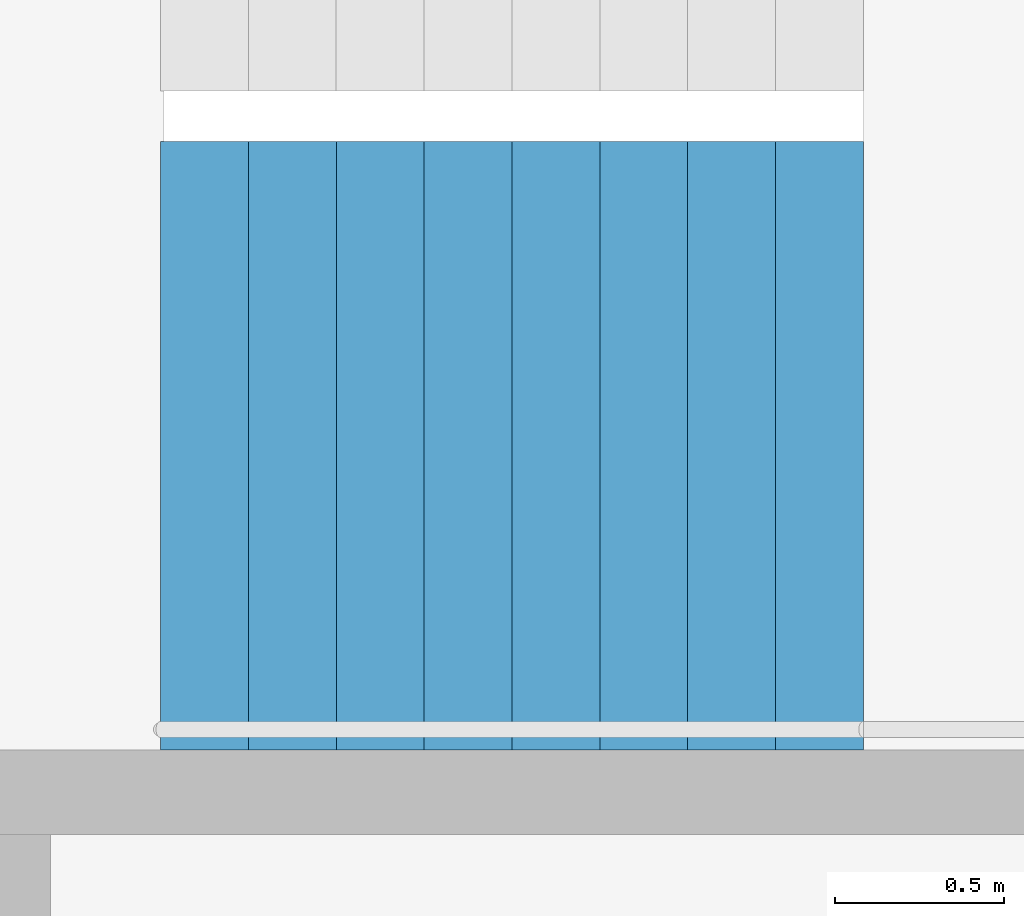
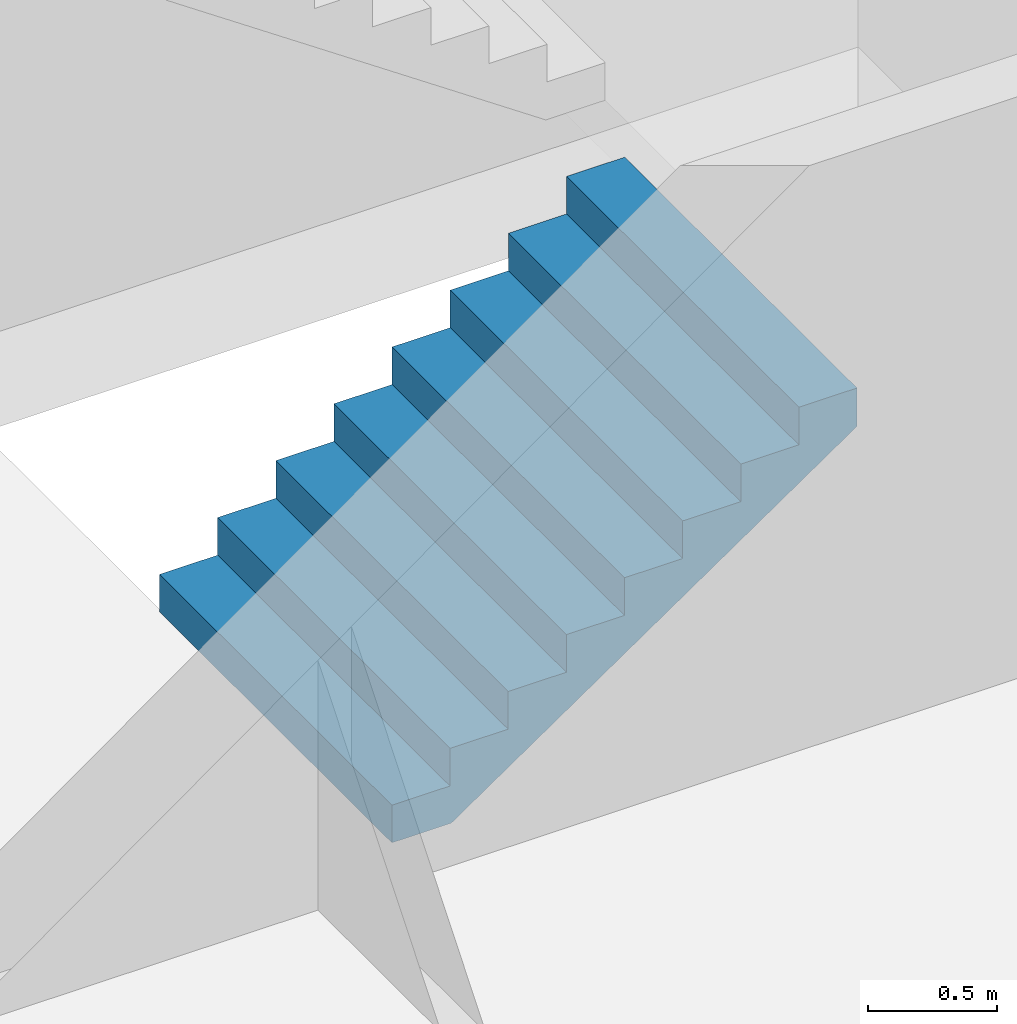
# One storey, part 20 of 26: 1 stair flight, 1 element without a shape of its own.
"""IFC4 building model written with IfcOpenShell, lengths in metres."""

import ifcopenshell
import ifcopenshell.guid

model = None  # the IFC model being written
_history = None  # IfcOwnerHistory: only IFC2X3 demands one
_inside = {}  # id of a spatial element -> (the spatial element, [elements in it])
_under = {}  # id of a project, library or spatial element -> (it, [spatial elements below it])
_declared = {}  # id of a project -> (the project, [libraries it declares])
_typed = {}  # id of a type object -> (the type object, [elements of that type])
_made_of = {}  # id of a material, layer set ... -> (it, [elements and type objects made of it])


def new_model(schema):
    """Start an empty IFC model of exactly this schema.

    Asked for "IFC4X3", IfcOpenShell would pick the latest addendum, in which some entities
    have other attributes; the version numbers below select the first issue.
    IFC2X3 requires an IfcOwnerHistory on every rooted entity: one is made here for all.
    """
    global model, _history
    if schema == "IFC4X3":
        model = ifcopenshell.file(schema_version=(4, 3, 0, 0))
    else:
        model = ifcopenshell.file(schema=schema)
    _inside.clear()
    _under.clear()
    _declared.clear()
    _typed.clear()
    _made_of.clear()
    _history = None
    if model.schema == "IFC2X3":
        org = make("IfcOrganization", Name="unknown")
        user = make(
            "IfcPersonAndOrganization",
            ThePerson=make("IfcPerson", FamilyName="unknown"),
            TheOrganization=org,
        )
        app = make(
            "IfcApplication",
            ApplicationDeveloper=org,
            Version="unknown",
            ApplicationFullName="unknown",
            ApplicationIdentifier="unknown",
        )
        _history = make(
            "IfcOwnerHistory",
            OwningUser=user,
            OwningApplication=app,
            ChangeAction="ADDED",
            CreationDate=0,
        )
    return model


def make(cls, **values):
    """One entity of the class cls with the attributes given. An attribute that is None is left unset."""
    return model.create_entity(
        cls, **{name: value for name, value in values.items() if value is not None}
    )


def rooted(cls, **values):
    """An entity with a GlobalId (a new one), such as an element, a storey or a relation."""
    return make(cls, GlobalId=ifcopenshell.guid.new(), OwnerHistory=_history, **values)


def si_unit(unit_type, name, prefix=None):
    """IfcSIUnit, for example si_unit("LENGTHUNIT", "METRE", prefix="MILLI")."""
    return make("IfcSIUnit", UnitType=unit_type, Prefix=prefix, Name=name)


def assignment(units):
    """IfcUnitAssignment: the units of a project."""
    return None if units is None else make("IfcUnitAssignment", Units=units)


def point(xyz):
    """IfcCartesianPoint."""
    return None if xyz is None else make("IfcCartesianPoint", Coordinates=xyz)


def direction(xyz):
    """IfcDirection."""
    return None if xyz is None else make("IfcDirection", DirectionRatios=xyz)


def frame(location, z_axis=None, x_axis=None):
    """IfcAxis2Placement3D, a coordinate frame: its origin and axes. An axis left out is left unset."""
    return make(
        "IfcAxis2Placement3D",
        Location=point(location),
        Axis=direction(z_axis),
        RefDirection=direction(x_axis),
    )


def origin():
    """The frame at (0, 0, 0) with its axes left unset."""
    return frame((0.0, 0.0, 0.0))


def place(relative_to, where):
    """IfcLocalPlacement: puts the frame where relative to a parent placement (None: the world)."""
    return make(
        "IfcLocalPlacement", PlacementRelTo=relative_to, RelativePlacement=where
    )


def context(
    kind, dimensions, precision=None, world=None, true_north=None, identifier=None
):
    """IfcGeometricRepresentationContext, for example the 3D "Model" context."""
    return make(
        "IfcGeometricRepresentationContext",
        ContextIdentifier=identifier,
        ContextType=kind,
        CoordinateSpaceDimension=dimensions,
        Precision=precision,
        WorldCoordinateSystem=world,
        TrueNorth=true_north,
    )


def subcontext(parent, identifier, kind, view, scale=None):
    """IfcGeometricRepresentationSubContext, for example "Body" below "Model"."""
    return make(
        "IfcGeometricRepresentationSubContext",
        ContextIdentifier=identifier,
        ContextType=kind,
        ParentContext=parent,
        TargetScale=scale,
        TargetView=view,
    )


def project(units=None, contexts=None):
    """IfcProject with its units and contexts."""
    return rooted(
        "IfcProject",
        Name="project",
        RepresentationContexts=contexts,
        UnitsInContext=assignment(units),
    )


def spatial(cls, under=None, at=None, **own):
    """A site, building, storey or space (cls), placed at a placement, below another one or the project."""
    s = rooted(cls, ObjectPlacement=at, **own)
    if under is not None:
        _under.setdefault(under.id(), (under, []))[1].append(s)
    return s


def point_list(points):
    """IfcCartesianPointList2D or 3D."""
    cls = (
        "IfcCartesianPointList2D" if len(points[0]) == 2 else "IfcCartesianPointList3D"
    )
    return make(cls, CoordList=points)


def triangles(points, corners, closed=None, point_numbers=None):
    """IfcTriangulatedFaceSet: each triangle names its three corners, points numbered from 1."""
    return make(
        "IfcTriangulatedFaceSet",
        Coordinates=point_list(points),
        Closed=closed,
        CoordIndex=corners,
        PnIndex=point_numbers,
    )


def shape(context_of_items, identifier, shape_type, items):
    """IfcShapeRepresentation: the items that make up one representation, for example the "Body"."""
    return make(
        "IfcShapeRepresentation",
        ContextOfItems=context_of_items,
        RepresentationIdentifier=identifier,
        RepresentationType=shape_type,
        Items=items,
    )


def material(Name=None, Category=None):
    """IfcMaterial."""
    return make("IfcMaterial", Name=Name, Category=Category)


def made_of(thing, what):
    """Note that an element or type object is made of a material, layer set ...; save() writes the relation."""
    if what is not None:
        _made_of.setdefault(what.id(), (what, []))[1].append(thing)
    return thing


def type_object(cls, material=None, **own):
    """A type object (cls), such as IfcWallType, which elements share."""
    return made_of(rooted(cls, **own), material)


def element(
    cls,
    number,
    at=None,
    inside=None,
    cuts=None,
    type_object=None,
    material=None,
    context=None,
    identifier="Body",
    shape_type=None,
    held_by="IfcProductDefinitionShape",
    body=None,
    shapes=None,
    **own,
):
    """One element of the class cls, such as IfcWall. Its Tag is "e" and its number.

    at: its placement. inside: the storey or other place that contains it. cuts: it is an
    opening in that element (IfcRelVoidsElement). A single representation is given by context,
    identifier, shape_type and body (its items); several are given by shapes. held_by: the class
    of the entity that holds the representations. save() writes the other relations.
    """
    e = rooted(cls, Tag="e%d" % number, ObjectPlacement=at, **own)
    if body is not None:
        shapes = [shape(context, identifier, shape_type, body)]
    if shapes is not None:
        e.Representation = make(held_by, Representations=shapes)
    if inside is not None:
        _inside.setdefault(inside.id(), (inside, []))[1].append(e)
    if cuts is not None:
        rooted(
            "IfcRelVoidsElement", RelatingBuildingElement=cuts, RelatedOpeningElement=e
        )
    if type_object is not None:
        _typed.setdefault(type_object.id(), (type_object, []))[1].append(e)
    return made_of(e, material)


def aggregate(whole, parts):
    """IfcRelAggregates: a whole, such as a stair, and the parts it consists of."""
    return rooted("IfcRelAggregates", RelatingObject=whole, RelatedObjects=parts)


def save(model, path):
    """Write the relations noted so far, then the file.

    IfcRelAggregates (storeys below a building ...), IfcRelContainedInSpatialStructure (elements
    in a storey), IfcRelDefinesByType, IfcRelAssociatesMaterial and IfcRelDeclares: one each for
    every whole, place, type object, material and project.
    """
    for whole, parts in _under.values():
        aggregate(whole, parts)
    for where, things in _inside.values():
        rooted(
            "IfcRelContainedInSpatialStructure",
            RelatedElements=things,
            RelatingStructure=where,
        )
    for kind, things in _typed.values():
        rooted("IfcRelDefinesByType", RelatedObjects=things, RelatingType=kind)
    for what, things in _made_of.values():
        rooted("IfcRelAssociatesMaterial", RelatedObjects=things, RelatingMaterial=what)
    for by, libraries in _declared.values():
        rooted("IfcRelDeclares", RelatingContext=by, RelatedDefinitions=libraries)
    model.write(path)


model = new_model("IFC4")

# Units and contexts
model_context = context("Model", 3, precision=1e-05, world=origin(), true_north=direction((0.0, 1.0)))
body_context = subcontext(model_context, "Body", "Model", "MODEL_VIEW")
ifc_project = project(units=[si_unit("LENGTHUNIT", "METRE"), si_unit("AREAUNIT", "SQUARE_METRE"), si_unit("VOLUMEUNIT", "CUBIC_METRE"), si_unit("PLANEANGLEUNIT", "RADIAN"), si_unit("MASSUNIT", "GRAM", prefix="KILO")], contexts=[model_context])

# Site, building, storey
site_placement = place(None, origin())
site = spatial("IfcSite", under=ifc_project, at=site_placement, CompositionType="ELEMENT")
building_placement = place(site_placement, origin())
building = spatial("IfcBuilding", under=site, at=building_placement, Name="Hakoniwa Tower and Hamabe Station Hall", CompositionType="ELEMENT")
storey_placement = place(building_placement, frame((0.0, 0.0, 189.800048828125)))
storey = spatial("IfcBuildingStorey", under=building, at=storey_placement, Name="L53", CompositionType="ELEMENT", Elevation=189.800048828125)

# Stair, stair flight
ifc_material_1 = material(Name="Concrete C40", Category="concrete")
stair_type = type_object("IfcStairType", Name="ESCAPE STAIR 1800", PredefinedType="HALF_TURN_STAIR", material=ifc_material_1)
stair_placement = place(storey_placement, origin())
stair = element("IfcStair", 1, at=stair_placement, inside=storey, type_object=stair_type, Name="Escape stair ST-1 L53", PredefinedType="HALF_TURN_STAIR")
ifc_material_2 = material(Name="Concrete C40", Category="concrete")
stair_flight_type = type_object("IfcStairFlightType", Name="STAIR FLIGHT 1800", PredefinedType="STRAIGHT", material=ifc_material_2)
stair_flight_placement = place(storey_placement, frame((-24.39990234375, 4.64990234375, 0.0), z_axis=(0.0, 0.0, 1.0), x_axis=(1.0, 0.0, 0.0)))
stair_flight = element("IfcStairFlight", 2, at=stair_flight_placement, type_object=stair_flight_type, Name="ST-1 flight 1", NumberOfRisers=9, NumberOfTreads=8, PredefinedType="STRAIGHT", RiserHeight=0.177777778, TreadLength=0.26, context=body_context, shape_type="Tessellation", body=[
    triangles([(0.0, 0.89990234375, 0.0), (0.260009765625, 0.89990234375, 0.0), (0.265625, 0.89990234375, 0.0), (0.52001953125, 0.89990234375, 0.174072265625), (0.780029296875, 0.89990234375, 0.351806640625), (1.0400390625, 0.89990234375, 0.529541015625), (1.300048828125, 0.89990234375, 0.707275390625), (1.56005859375, 0.89990234375, 0.885009765625), (1.820068359375, 0.89990234375, 1.062744140625), (2.080078125, 0.89990234375, 1.24072265625), (2.080078125, 0.89990234375, 1.422119140625), (1.820068359375, 0.89990234375, 1.422119140625), (1.820068359375, 0.89990234375, 1.244384765625), (1.56005859375, 0.89990234375, 1.244384765625), (1.56005859375, 0.89990234375, 1.066650390625), (1.300048828125, 0.89990234375, 1.066650390625), (1.300048828125, 0.89990234375, 0.888916015625), (1.0400390625, 0.89990234375, 0.888916015625), (1.0400390625, 0.89990234375, 0.711181640625), (0.780029296875, 0.89990234375, 0.711181640625), (0.780029296875, 0.89990234375, 0.533447265625), (0.52001953125, 0.89990234375, 0.533447265625), (0.52001953125, 0.89990234375, 0.35546875), (0.265625, 0.89990234375, 0.35546875), (0.260009765625, 0.89990234375, 0.35546875), (0.260009765625, 0.89990234375, 0.177734375), (0.0, 0.89990234375, 0.177734375), (0.0, 0.06005859375, 0.0), (0.260009765625, 0.06005859375, 0.0), (0.265625, 0.06005859375, 0.0), (0.52001953125, 0.06005859375, 0.174072265625), (0.780029296875, 0.06005859375, 0.351806640625), (1.0400390625, 0.06005859375, 0.529541015625), (1.300048828125, 0.06005859375, 0.707275390625), (1.56005859375, 0.06005859375, 0.885009765625), (1.820068359375, 0.06005859375, 1.062744140625), (2.080078125, 0.06005859375, 1.24072265625), (2.080078125, 0.06005859375, 1.422119140625), (1.820068359375, 0.06005859375, 1.422119140625), (1.820068359375, 0.06005859375, 1.244384765625), (1.56005859375, 0.06005859375, 1.244384765625), (1.56005859375, 0.06005859375, 1.066650390625), (1.300048828125, 0.06005859375, 1.066650390625), (1.300048828125, 0.06005859375, 0.888916015625), (1.0400390625, 0.06005859375, 0.888916015625), (1.0400390625, 0.06005859375, 0.711181640625), (0.780029296875, 0.06005859375, 0.711181640625), (0.780029296875, 0.06005859375, 0.533447265625), (0.52001953125, 0.06005859375, 0.533447265625), (0.52001953125, 0.06005859375, 0.35546875), (0.265625, 0.06005859375, 0.35546875), (0.260009765625, 0.06005859375, 0.35546875), (0.260009765625, 0.06005859375, 0.177734375), (0.0, 0.06005859375, 0.177734375), (0.0, 0.04296875, 0.0), (0.260009765625, 0.04296875, 0.0), (0.265625, 0.04296875, 0.0), (0.52001953125, 0.04296875, 0.174072265625), (0.780029296875, 0.04296875, 0.351806640625), (1.0400390625, 0.04296875, 0.529541015625), (1.300048828125, 0.04296875, 0.707275390625), (1.56005859375, 0.04296875, 0.885009765625), (1.820068359375, 0.04296875, 1.062744140625), (2.080078125, 0.04296875, 1.24072265625), (2.080078125, 0.04296875, 1.422119140625), (1.820068359375, 0.04296875, 1.422119140625), (1.820068359375, 0.04296875, 1.244384765625), (1.56005859375, 0.04296875, 1.244384765625), (1.56005859375, 0.04296875, 1.066650390625), (1.300048828125, 0.04296875, 1.066650390625), (1.300048828125, 0.04296875, 0.888916015625), (1.0400390625, 0.04296875, 0.888916015625), (1.0400390625, 0.04296875, 0.711181640625), (0.780029296875, 0.04296875, 0.711181640625), (0.780029296875, 0.04296875, 0.533447265625), (0.52001953125, 0.04296875, 0.533447265625), (0.52001953125, 0.04296875, 0.35546875), (0.265625, 0.04296875, 0.35546875), (0.260009765625, 0.04296875, 0.35546875), (0.260009765625, 0.04296875, 0.177734375), (0.0, 0.04296875, 0.177734375), (0.0, 0.025634765625, 0.0), (0.260009765625, 0.025634765625, 0.0), (0.265625, 0.025634765625, 0.0), (0.52001953125, 0.025634765625, 0.174072265625), (0.780029296875, 0.025634765625, 0.351806640625), (1.0400390625, 0.025634765625, 0.529541015625), (1.300048828125, 0.025634765625, 0.707275390625), (1.56005859375, 0.025634765625, 0.885009765625), (1.820068359375, 0.025634765625, 1.062744140625), (2.080078125, 0.025634765625, 1.24072265625), (2.080078125, 0.025634765625, 1.422119140625), (1.820068359375, 0.025634765625, 1.422119140625), (1.820068359375, 0.025634765625, 1.244384765625), (1.56005859375, 0.025634765625, 1.244384765625), (1.56005859375, 0.025634765625, 1.066650390625), (1.300048828125, 0.025634765625, 1.066650390625), (1.300048828125, 0.025634765625, 0.888916015625), (1.0400390625, 0.025634765625, 0.888916015625), (1.0400390625, 0.025634765625, 0.711181640625), (0.780029296875, 0.025634765625, 0.711181640625), (0.780029296875, 0.025634765625, 0.533447265625), (0.52001953125, 0.025634765625, 0.533447265625), (0.52001953125, 0.025634765625, 0.35546875), (0.265625, 0.025634765625, 0.35546875), (0.260009765625, 0.025634765625, 0.35546875), (0.260009765625, 0.025634765625, 0.177734375), (0.0, 0.025634765625, 0.177734375), (0.0, 0.008544921875, 0.0), (0.260009765625, 0.008544921875, 0.0), (0.265625, 0.008544921875, 0.0), (0.52001953125, 0.008544921875, 0.174072265625), (0.780029296875, 0.008544921875, 0.351806640625), (1.0400390625, 0.008544921875, 0.529541015625), (1.300048828125, 0.008544921875, 0.707275390625), (1.56005859375, 0.008544921875, 0.885009765625), (1.820068359375, 0.008544921875, 1.062744140625), (2.080078125, 0.008544921875, 1.24072265625), (2.080078125, 0.008544921875, 1.422119140625), (1.820068359375, 0.008544921875, 1.422119140625), (1.820068359375, 0.008544921875, 1.244384765625), (1.56005859375, 0.008544921875, 1.244384765625), (1.56005859375, 0.008544921875, 1.066650390625), (1.300048828125, 0.008544921875, 1.066650390625), (1.300048828125, 0.008544921875, 0.888916015625), (1.0400390625, 0.008544921875, 0.888916015625), (1.0400390625, 0.008544921875, 0.711181640625), (0.780029296875, 0.008544921875, 0.711181640625), (0.780029296875, 0.008544921875, 0.533447265625), (0.52001953125, 0.008544921875, 0.533447265625), (0.52001953125, 0.008544921875, 0.35546875), (0.265625, 0.008544921875, 0.35546875), (0.260009765625, 0.008544921875, 0.35546875), (0.260009765625, 0.008544921875, 0.177734375), (0.0, 0.008544921875, 0.177734375), (0.0, -0.008544921875, 0.0), (0.260009765625, -0.008544921875, 0.0), (0.265625, -0.008544921875, 0.0), (0.52001953125, -0.008544921875, 0.174072265625), (0.780029296875, -0.008544921875, 0.351806640625), (1.0400390625, -0.008544921875, 0.529541015625), (1.300048828125, -0.008544921875, 0.707275390625), (1.56005859375, -0.008544921875, 0.885009765625), (1.820068359375, -0.008544921875, 1.062744140625), (2.080078125, -0.008544921875, 1.24072265625), (2.080078125, -0.008544921875, 1.422119140625), (1.820068359375, -0.008544921875, 1.422119140625), (1.820068359375, -0.008544921875, 1.244384765625), (1.56005859375, -0.008544921875, 1.244384765625), (1.56005859375, -0.008544921875, 1.066650390625), (1.300048828125, -0.008544921875, 1.066650390625), (1.300048828125, -0.008544921875, 0.888916015625), (1.0400390625, -0.008544921875, 0.888916015625), (1.0400390625, -0.008544921875, 0.711181640625), (0.780029296875, -0.008544921875, 0.711181640625), (0.780029296875, -0.008544921875, 0.533447265625), (0.52001953125, -0.008544921875, 0.533447265625), (0.52001953125, -0.008544921875, 0.35546875), (0.265625, -0.008544921875, 0.35546875), (0.260009765625, -0.008544921875, 0.35546875), (0.260009765625, -0.008544921875, 0.177734375), (0.0, -0.008544921875, 0.177734375), (0.0, -0.025634765625, 0.0), (0.260009765625, -0.025634765625, 0.0), (0.265625, -0.025634765625, 0.0), (0.52001953125, -0.025634765625, 0.174072265625), (0.780029296875, -0.025634765625, 0.351806640625), (1.0400390625, -0.025634765625, 0.529541015625), (1.300048828125, -0.025634765625, 0.707275390625), (1.56005859375, -0.025634765625, 0.885009765625), (1.820068359375, -0.025634765625, 1.062744140625), (2.080078125, -0.025634765625, 1.24072265625), (2.080078125, -0.025634765625, 1.422119140625), (1.820068359375, -0.025634765625, 1.422119140625), (1.820068359375, -0.025634765625, 1.244384765625), (1.56005859375, -0.025634765625, 1.244384765625), (1.56005859375, -0.025634765625, 1.066650390625), (1.300048828125, -0.025634765625, 1.066650390625), (1.300048828125, -0.025634765625, 0.888916015625), (1.0400390625, -0.025634765625, 0.888916015625), (1.0400390625, -0.025634765625, 0.711181640625), (0.780029296875, -0.025634765625, 0.711181640625), (0.780029296875, -0.025634765625, 0.533447265625), (0.52001953125, -0.025634765625, 0.533447265625), (0.52001953125, -0.025634765625, 0.35546875), (0.265625, -0.025634765625, 0.35546875), (0.260009765625, -0.025634765625, 0.35546875), (0.260009765625, -0.025634765625, 0.177734375), (0.0, -0.025634765625, 0.177734375), (0.0, -0.04296875, 0.0), (0.260009765625, -0.04296875, 0.0), (0.265625, -0.04296875, 0.0), (0.52001953125, -0.04296875, 0.174072265625), (0.780029296875, -0.04296875, 0.351806640625), (1.0400390625, -0.04296875, 0.529541015625), (1.300048828125, -0.04296875, 0.707275390625), (1.56005859375, -0.04296875, 0.885009765625), (1.820068359375, -0.04296875, 1.062744140625), (2.080078125, -0.04296875, 1.24072265625), (2.080078125, -0.04296875, 1.422119140625), (1.820068359375, -0.04296875, 1.422119140625), (1.820068359375, -0.04296875, 1.244384765625), (1.56005859375, -0.04296875, 1.244384765625), (1.56005859375, -0.04296875, 1.066650390625), (1.300048828125, -0.04296875, 1.066650390625), (1.300048828125, -0.04296875, 0.888916015625), (1.0400390625, -0.04296875, 0.888916015625), (1.0400390625, -0.04296875, 0.711181640625), (0.780029296875, -0.04296875, 0.711181640625), (0.780029296875, -0.04296875, 0.533447265625), (0.52001953125, -0.04296875, 0.533447265625), (0.52001953125, -0.04296875, 0.35546875), (0.265625, -0.04296875, 0.35546875), (0.260009765625, -0.04296875, 0.35546875), (0.260009765625, -0.04296875, 0.177734375), (0.0, -0.04296875, 0.177734375), (0.0, -0.06005859375, 0.0), (0.260009765625, -0.06005859375, 0.0), (0.265625, -0.06005859375, 0.0), (0.52001953125, -0.06005859375, 0.174072265625), (0.780029296875, -0.06005859375, 0.351806640625), (1.0400390625, -0.06005859375, 0.529541015625), (1.300048828125, -0.06005859375, 0.707275390625), (1.56005859375, -0.06005859375, 0.885009765625), (1.820068359375, -0.06005859375, 1.062744140625), (2.080078125, -0.06005859375, 1.24072265625), (2.080078125, -0.06005859375, 1.422119140625), (1.820068359375, -0.06005859375, 1.422119140625), (1.820068359375, -0.06005859375, 1.244384765625), (1.56005859375, -0.06005859375, 1.244384765625), (1.56005859375, -0.06005859375, 1.066650390625), (1.300048828125, -0.06005859375, 1.066650390625), (1.300048828125, -0.06005859375, 0.888916015625), (1.0400390625, -0.06005859375, 0.888916015625), (1.0400390625, -0.06005859375, 0.711181640625), (0.780029296875, -0.06005859375, 0.711181640625), (0.780029296875, -0.06005859375, 0.533447265625), (0.52001953125, -0.06005859375, 0.533447265625), (0.52001953125, -0.06005859375, 0.35546875), (0.265625, -0.06005859375, 0.35546875), (0.260009765625, -0.06005859375, 0.35546875), (0.260009765625, -0.06005859375, 0.177734375), (0.0, -0.06005859375, 0.177734375), (0.0, -0.89990234375, 0.0), (0.260009765625, -0.89990234375, 0.0), (0.265625, -0.89990234375, 0.0), (0.52001953125, -0.89990234375, 0.174072265625), (0.780029296875, -0.89990234375, 0.351806640625), (1.0400390625, -0.89990234375, 0.529541015625), (1.300048828125, -0.89990234375, 0.707275390625), (1.56005859375, -0.89990234375, 0.885009765625), (1.820068359375, -0.89990234375, 1.062744140625), (2.080078125, -0.89990234375, 1.24072265625), (2.080078125, -0.89990234375, 1.422119140625), (1.820068359375, -0.89990234375, 1.422119140625), (1.820068359375, -0.89990234375, 1.244384765625), (1.56005859375, -0.89990234375, 1.244384765625), (1.56005859375, -0.89990234375, 1.066650390625), (1.300048828125, -0.89990234375, 1.066650390625), (1.300048828125, -0.89990234375, 0.888916015625), (1.0400390625, -0.89990234375, 0.888916015625), (1.0400390625, -0.89990234375, 0.711181640625), (0.780029296875, -0.89990234375, 0.711181640625), (0.780029296875, -0.89990234375, 0.533447265625), (0.52001953125, -0.89990234375, 0.533447265625), (0.52001953125, -0.89990234375, 0.35546875), (0.265625, -0.89990234375, 0.35546875), (0.260009765625, -0.89990234375, 0.35546875), (0.260009765625, -0.89990234375, 0.177734375), (0.0, -0.89990234375, 0.177734375)], [[2, 27, 26], [245, 269, 270], [2, 1, 27], [245, 270, 244], [3, 25, 24], [246, 267, 268], [3, 26, 25], [246, 268, 269], [3, 2, 26], [246, 269, 245], [4, 24, 23], [247, 266, 267], [4, 3, 24], [247, 267, 246], [5, 22, 21], [248, 264, 265], [5, 23, 22], [248, 265, 266], [5, 4, 23], [248, 266, 247], [6, 20, 19], [249, 262, 263], [6, 21, 20], [249, 263, 264], [6, 5, 21], [249, 264, 248], [7, 18, 17], [250, 260, 261], [7, 19, 18], [250, 261, 262], [7, 6, 19], [250, 262, 249], [8, 16, 15], [251, 258, 259], [8, 17, 16], [251, 259, 260], [8, 7, 17], [251, 260, 250], [9, 14, 13], [252, 256, 257], [9, 15, 14], [252, 257, 258], [9, 8, 15], [252, 258, 251], [10, 12, 11], [253, 254, 255], [10, 13, 12], [253, 255, 256], [10, 9, 13], [253, 256, 252], [1, 2, 29], [1, 29, 28], [28, 29, 56], [28, 56, 55], [55, 56, 83], [55, 83, 82], [82, 83, 110], [82, 110, 109], [109, 110, 137], [109, 137, 136], [136, 137, 164], [136, 164, 163], [163, 164, 191], [163, 191, 190], [190, 191, 218], [190, 218, 217], [217, 218, 245], [217, 245, 244], [2, 3, 30], [2, 30, 29], [29, 30, 57], [29, 57, 56], [56, 57, 84], [56, 84, 83], [83, 84, 111], [83, 111, 110], [110, 111, 138], [110, 138, 137], [137, 138, 165], [137, 165, 164], [164, 165, 192], [164, 192, 191], [191, 192, 219], [191, 219, 218], [218, 219, 246], [218, 246, 245], [3, 4, 31], [3, 31, 30], [30, 31, 58], [30, 58, 57], [57, 58, 85], [57, 85, 84], [84, 85, 112], [84, 112, 111], [111, 112, 139], [111, 139, 138], [138, 139, 166], [138, 166, 165], [165, 166, 193], [165, 193, 192], [192, 193, 220], [192, 220, 219], [219, 220, 247], [219, 247, 246], [4, 5, 32], [4, 32, 31], [31, 32, 59], [31, 59, 58], [58, 59, 86], [58, 86, 85], [85, 86, 113], [85, 113, 112], [112, 113, 140], [112, 140, 139], [139, 140, 167], [139, 167, 166], [166, 167, 194], [166, 194, 193], [193, 194, 221], [193, 221, 220], [220, 221, 248], [220, 248, 247], [5, 6, 33], [5, 33, 32], [32, 33, 60], [32, 60, 59], [59, 60, 87], [59, 87, 86], [86, 87, 114], [86, 114, 113], [113, 114, 141], [113, 141, 140], [140, 141, 168], [140, 168, 167], [167, 168, 195], [167, 195, 194], [194, 195, 222], [194, 222, 221], [221, 222, 249], [221, 249, 248], [6, 7, 34], [6, 34, 33], [33, 34, 61], [33, 61, 60], [60, 61, 88], [60, 88, 87], [87, 88, 115], [87, 115, 114], [114, 115, 142], [114, 142, 141], [141, 142, 169], [141, 169, 168], [168, 169, 196], [168, 196, 195], [195, 196, 223], [195, 223, 222], [222, 223, 250], [222, 250, 249], [7, 8, 35], [7, 35, 34], [34, 35, 62], [34, 62, 61], [61, 62, 89], [61, 89, 88], [88, 89, 116], [88, 116, 115], [115, 116, 143], [115, 143, 142], [142, 143, 170], [142, 170, 169], [169, 170, 197], [169, 197, 196], [196, 197, 224], [196, 224, 223], [223, 224, 251], [223, 251, 250], [8, 9, 36], [8, 36, 35], [35, 36, 63], [35, 63, 62], [62, 63, 90], [62, 90, 89], [89, 90, 117], [89, 117, 116], [116, 117, 144], [116, 144, 143], [143, 144, 171], [143, 171, 170], [170, 171, 198], [170, 198, 197], [197, 198, 225], [197, 225, 224], [224, 225, 252], [224, 252, 251], [9, 10, 37], [9, 37, 36], [36, 37, 64], [36, 64, 63], [63, 64, 91], [63, 91, 90], [90, 91, 118], [90, 118, 117], [117, 118, 145], [117, 145, 144], [144, 145, 172], [144, 172, 171], [171, 172, 199], [171, 199, 198], [198, 199, 226], [198, 226, 225], [225, 226, 253], [225, 253, 252], [10, 11, 38], [10, 38, 37], [37, 38, 65], [37, 65, 64], [64, 65, 92], [64, 92, 91], [91, 92, 119], [91, 119, 118], [118, 119, 146], [118, 146, 145], [145, 146, 173], [145, 173, 172], [172, 173, 200], [172, 200, 199], [199, 200, 227], [199, 227, 226], [226, 227, 254], [226, 254, 253], [11, 12, 39], [11, 39, 38], [38, 39, 66], [38, 66, 65], [65, 66, 93], [65, 93, 92], [92, 93, 120], [92, 120, 119], [119, 120, 147], [119, 147, 146], [146, 147, 174], [146, 174, 173], [173, 174, 201], [173, 201, 200], [200, 201, 228], [200, 228, 227], [227, 228, 255], [227, 255, 254], [12, 13, 40], [12, 40, 39], [39, 40, 67], [39, 67, 66], [66, 67, 94], [66, 94, 93], [93, 94, 121], [93, 121, 120], [120, 121, 148], [120, 148, 147], [147, 148, 175], [147, 175, 174], [174, 175, 202], [174, 202, 201], [201, 202, 229], [201, 229, 228], [228, 229, 256], [228, 256, 255], [13, 14, 41], [13, 41, 40], [40, 41, 68], [40, 68, 67], [67, 68, 95], [67, 95, 94], [94, 95, 122], [94, 122, 121], [121, 122, 149], [121, 149, 148], [148, 149, 176], [148, 176, 175], [175, 176, 203], [175, 203, 202], [202, 203, 230], [202, 230, 229], [229, 230, 257], [229, 257, 256], [14, 15, 42], [14, 42, 41], [41, 42, 69], [41, 69, 68], [68, 69, 96], [68, 96, 95], [95, 96, 123], [95, 123, 122], [122, 123, 150], [122, 150, 149], [149, 150, 177], [149, 177, 176], [176, 177, 204], [176, 204, 203], [203, 204, 231], [203, 231, 230], [230, 231, 258], [230, 258, 257], [15, 16, 43], [15, 43, 42], [42, 43, 70], [42, 70, 69], [69, 70, 97], [69, 97, 96], [96, 97, 124], [96, 124, 123], [123, 124, 151], [123, 151, 150], [150, 151, 178], [150, 178, 177], [177, 178, 205], [177, 205, 204], [204, 205, 232], [204, 232, 231], [231, 232, 259], [231, 259, 258], [16, 17, 44], [16, 44, 43], [43, 44, 71], [43, 71, 70], [70, 71, 98], [70, 98, 97], [97, 98, 125], [97, 125, 124], [124, 125, 152], [124, 152, 151], [151, 152, 179], [151, 179, 178], [178, 179, 206], [178, 206, 205], [205, 206, 233], [205, 233, 232], [232, 233, 260], [232, 260, 259], [17, 18, 45], [17, 45, 44], [44, 45, 72], [44, 72, 71], [71, 72, 99], [71, 99, 98], [98, 99, 126], [98, 126, 125], [125, 126, 153], [125, 153, 152], [152, 153, 180], [152, 180, 179], [179, 180, 207], [179, 207, 206], [206, 207, 234], [206, 234, 233], [233, 234, 261], [233, 261, 260], [18, 19, 46], [18, 46, 45], [45, 46, 73], [45, 73, 72], [72, 73, 100], [72, 100, 99], [99, 100, 127], [99, 127, 126], [126, 127, 154], [126, 154, 153], [153, 154, 181], [153, 181, 180], [180, 181, 208], [180, 208, 207], [207, 208, 235], [207, 235, 234], [234, 235, 262], [234, 262, 261], [19, 20, 47], [19, 47, 46], [46, 47, 74], [46, 74, 73], [73, 74, 101], [73, 101, 100], [100, 101, 128], [100, 128, 127], [127, 128, 155], [127, 155, 154], [154, 155, 182], [154, 182, 181], [181, 182, 209], [181, 209, 208], [208, 209, 236], [208, 236, 235], [235, 236, 263], [235, 263, 262], [20, 21, 48], [20, 48, 47], [47, 48, 75], [47, 75, 74], [74, 75, 102], [74, 102, 101], [101, 102, 129], [101, 129, 128], [128, 129, 156], [128, 156, 155], [155, 156, 183], [155, 183, 182], [182, 183, 210], [182, 210, 209], [209, 210, 237], [209, 237, 236], [236, 237, 264], [236, 264, 263], [21, 22, 49], [21, 49, 48], [48, 49, 76], [48, 76, 75], [75, 76, 103], [75, 103, 102], [102, 103, 130], [102, 130, 129], [129, 130, 157], [129, 157, 156], [156, 157, 184], [156, 184, 183], [183, 184, 211], [183, 211, 210], [210, 211, 238], [210, 238, 237], [237, 238, 265], [237, 265, 264], [22, 23, 50], [22, 50, 49], [49, 50, 77], [49, 77, 76], [76, 77, 104], [76, 104, 103], [103, 104, 131], [103, 131, 130], [130, 131, 158], [130, 158, 157], [157, 158, 185], [157, 185, 184], [184, 185, 212], [184, 212, 211], [211, 212, 239], [211, 239, 238], [238, 239, 266], [238, 266, 265], [23, 24, 51], [23, 51, 50], [50, 51, 78], [50, 78, 77], [77, 78, 105], [77, 105, 104], [104, 105, 132], [104, 132, 131], [131, 132, 159], [131, 159, 158], [158, 159, 186], [158, 186, 185], [185, 186, 213], [185, 213, 212], [212, 213, 240], [212, 240, 239], [239, 240, 267], [239, 267, 266], [24, 25, 52], [24, 52, 51], [51, 52, 79], [51, 79, 78], [78, 79, 106], [78, 106, 105], [105, 106, 133], [105, 133, 132], [132, 133, 160], [132, 160, 159], [159, 160, 187], [159, 187, 186], [186, 187, 214], [186, 214, 213], [213, 214, 241], [213, 241, 240], [240, 241, 268], [240, 268, 267], [25, 26, 53], [25, 53, 52], [52, 53, 80], [52, 80, 79], [79, 80, 107], [79, 107, 106], [106, 107, 134], [106, 134, 133], [133, 134, 161], [133, 161, 160], [160, 161, 188], [160, 188, 187], [187, 188, 215], [187, 215, 214], [214, 215, 242], [214, 242, 241], [241, 242, 269], [241, 269, 268], [26, 27, 54], [26, 54, 53], [53, 54, 81], [53, 81, 80], [80, 81, 108], [80, 108, 107], [107, 108, 135], [107, 135, 134], [134, 135, 162], [134, 162, 161], [161, 162, 189], [161, 189, 188], [188, 189, 216], [188, 216, 215], [215, 216, 243], [215, 243, 242], [242, 243, 270], [242, 270, 269], [27, 1, 28], [27, 28, 54], [54, 28, 55], [54, 55, 81], [81, 55, 82], [81, 82, 108], [108, 82, 109], [108, 109, 135], [135, 109, 136], [135, 136, 162], [162, 136, 163], [162, 163, 189], [189, 163, 190], [189, 190, 216], [216, 190, 217], [216, 217, 243], [243, 217, 244], [243, 244, 270]], closed=True),
])
aggregate(stair, [stair_flight])

save(model, "model.ifc")
